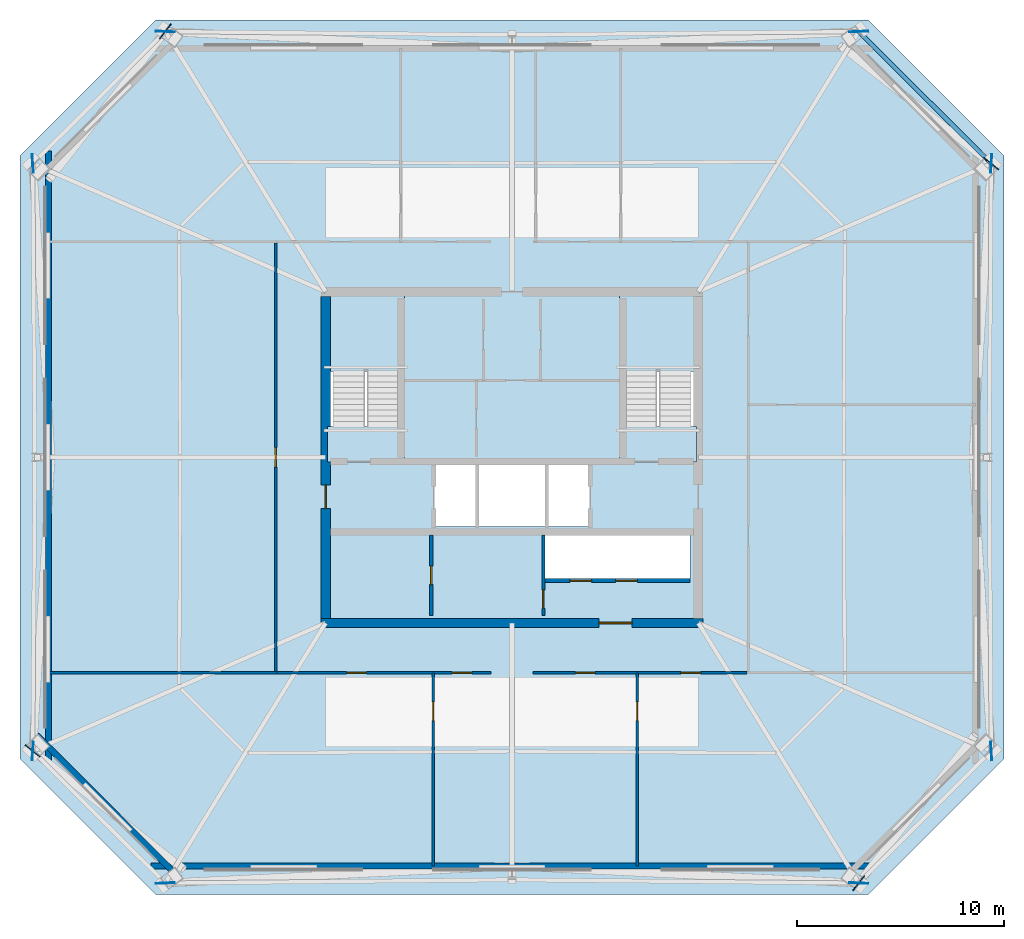
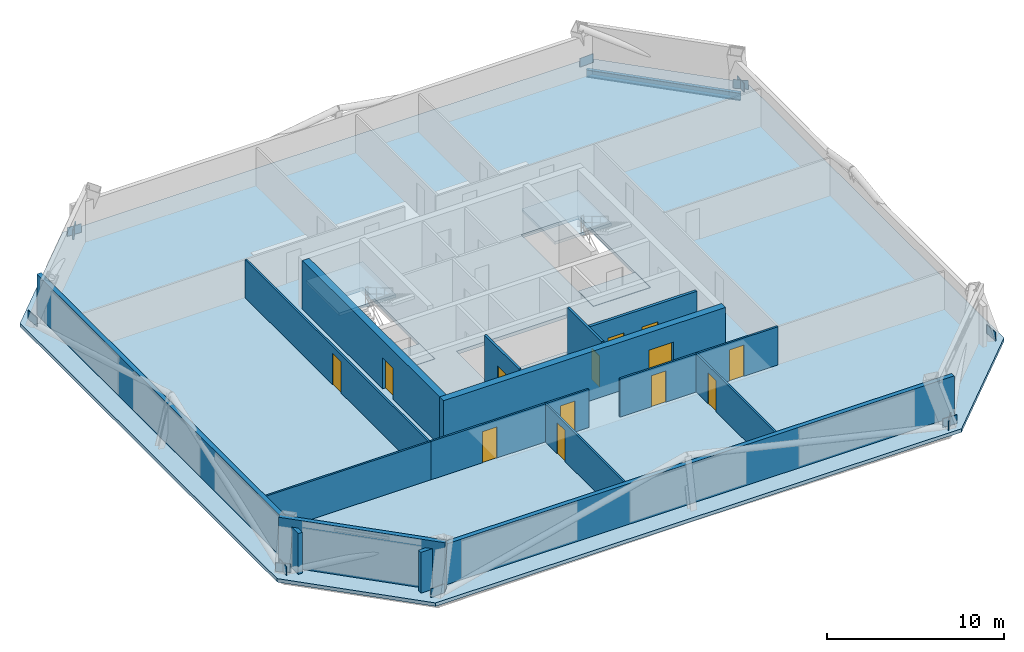
# One storey, part 2 of 6: 14 walls, 13 doors, 12 plates, 5 slabs, 1 beam, 13 openings, 2 elements without a shape of their own.
"""IFC4 building model written with IfcOpenShell, lengths in metres."""

from ifc_helpers import new_model, si_unit, direction, frame, frame_2d, origin, origin_2d, place, context, subcontext, project, spatial, polyline, rectangle, i_section, outline, extrude, material, layer, layer_set, material_profile, profile_set, type_object, element, fill, aggregate, save


model = new_model("IFC4")

# Units and contexts
model_context = context("Model", 3, precision=1e-05, world=origin(), true_north=direction((0.0, 1.0)))
body_context = subcontext(model_context, "Body", "Model", "MODEL_VIEW")
ifc_project = project(units=[si_unit("LENGTHUNIT", "METRE"), si_unit("AREAUNIT", "SQUARE_METRE"), si_unit("VOLUMEUNIT", "CUBIC_METRE"), si_unit("PLANEANGLEUNIT", "RADIAN"), si_unit("MASSUNIT", "GRAM", prefix="KILO")], contexts=[model_context])

# Site, building, storey
site_placement = place(None, origin())
site = spatial("IfcSite", under=ifc_project, at=site_placement, CompositionType="ELEMENT")
building_placement = place(site_placement, origin())
building = spatial("IfcBuilding", under=site, at=building_placement, Name="Caelvoria Tower", CompositionType="ELEMENT")
storey_placement = place(building_placement, frame((0.0, 0.0, 184.199951171875)))
storey = spatial("IfcBuildingStorey", under=building, at=storey_placement, Name="L48", CompositionType="ELEMENT", Elevation=184.199951171875)

# Beam
ifc_material_1 = material(Name="Structural Steel ASTM A992 Gr.50", Category="steel")
ifc_material_profile = material_profile(ifc_material_1, i_section(OverallWidth=0.208984375, OverallDepth=0.532958984375, WebThickness=0.01025390625, FlangeThickness=0.015625, FilletRadius=0.01611328125, at=origin_2d()), Name="Structural Steel ASTM A992 Gr.50")
ifc_profile_set = profile_set([ifc_material_profile], Name="W530X92 - Structural Steel ASTM A992 Gr.50")
beam_type = type_object("IfcBeamType", Name="Upper Zone Spandrel W530X92", PredefinedType="BEAM", material=ifc_profile_set)
beam_placement = place(storey_placement, frame((69.14599609375, 46.183837890625, -0.50634765625), z_axis=(-0.708362057254, 0.705849272751, 0.0), x_axis=(-0.705849272751, -0.708362057254, 0.0)))
element("IfcBeam", 1, at=beam_placement, inside=storey, type_object=beam_type, Name="Perimeter Spandrel Girder L48-05", PredefinedType="BEAM", context=body_context, shape_type="SweptSolid", body=[
    extrude(i_section(OverallWidth=0.208984375, OverallDepth=0.532958984375, WebThickness=0.01025390625, FlangeThickness=0.015625, FilletRadius=0.01611328125, at=origin_2d()), origin(), (0.0, 0.0, 1.0), 9.035888671875),
])

# Plates
ifc_material_2 = material(Name="Structural Steel ASTM A572 Gr.50", Category="steel")
ifc_layer_1 = layer(ifc_material_2, 0.0400390625, Name="Structural Steel ASTM A572 Gr.50")
ifc_layer_set_1 = layer_set([ifc_layer_1], Name="Megaframe Node Gusset Plate 900x600x40 - Structural Steel ASTM A572 Gr.50")
plate_type = type_object("IfcPlateType", Name="Megaframe Node Gusset Plate 900x600x40", PredefinedType="USERDEFINED", material=ifc_layer_set_1)
for number, where, z_axis, x_axis, name in (
    (2, (62.745361328125, 11.438232421875, 0.02001953125), (0.0, 0.0, 1.0), (0.617670213327, 0.786437224175, 0.0), "Chamfer Mega Brace Gusset L48 SE"),
    (3, (69.14599609375, 46.183837890625, 0.02001953125), (0.0, 0.0, 1.0), (-0.787284897841, 0.616589401167, 0.0), "Chamfer Mega Brace Gusset L48 NE"),
    (4, (29.254638671875, 52.561767578125, 0.02001953125), (0.0, 0.0, 1.0), (-0.617670213327, -0.786437224175, 0.0), "Chamfer Mega Brace Gusset L48 NW"),
    (5, (22.85400390625, 17.816162109375, 0.02001953125), (0.0, 0.0, 1.0), (0.787284897841, -0.616589401167, 0.0), "Chamfer Mega Brace Gusset L48 SW"),
    (6, (29.254638671875, 11.438232421875, 0.050048828125), (0.0, 0.0, 1.0), (0.998798195103, 0.049011890989, 0.0), "Megaframe Node Gusset Plate ND-01"),
    (7, (62.745361328125, 11.438232421875, 0.050048828125), (0.0, 0.0, 1.0), (-0.998798195103, 0.049011890989, 0.0), "Megaframe Node Gusset Plate ND-01"),
    (8, (69.14599609375, 17.816162109375, 0.050048828125), (0.0, 0.0, 1.0), (-0.062351558389, 0.998054248609, 0.0), "Megaframe Node Gusset Plate ND-01"),
    (9, (69.14599609375, 46.183837890625, 0.050048828125), (0.0, 0.0, 1.0), (-0.062351558389, -0.998054248609, 0.0), "Megaframe Node Gusset Plate ND-01"),
    (10, (62.745361328125, 52.561767578125, 0.050048828125), (0.0, 0.0, 1.0), (-0.998798195103, -0.049011890989, 0.0), "Megaframe Node Gusset Plate ND-01"),
    (11, (29.254638671875, 52.561767578125, 0.050048828125), (0.0, 0.0, 1.0), (0.998798195103, -0.049011890989, 0.0), "Megaframe Node Gusset Plate ND-01"),
    (12, (22.85400390625, 46.183837890625, 0.050048828125), (0.0, 0.0, 1.0), (0.062351558389, -0.998054248609, 0.0), "Megaframe Node Gusset Plate ND-01"),
    (13, (22.85400390625, 17.816162109375, 0.050048828125), (0.0, 0.0, 1.0), (0.062351558389, 0.998054248609, 0.0), "Megaframe Node Gusset Plate ND-01"),
):
    element("IfcPlate", number, at=place(storey_placement, frame(where, z_axis=z_axis, x_axis=x_axis)), inside=storey, type_object=plate_type, Name=name, ObjectType="GUSSET_PLATE", PredefinedType="USERDEFINED", context=body_context, shape_type="SweptSolid", body=[
        extrude(rectangle(XDim=0.89990234375, YDim=0.0400390625, at=origin_2d()), origin(), (0.0, 0.0, 1.0), 0.60009765625),
    ])

# Stair, slabs
ifc_material_3 = material(Name="Concrete C40/50", Category="concrete")
stair_type = type_object("IfcStairType", Name="Core Smokeproof Dogleg Stair Concrete C40/50", PredefinedType="HALF_TURN_STAIR", material=ifc_material_3)
stair_1_placement = place(storey_placement, origin())
stair_1 = element("IfcStair", 14, at=stair_1_placement, inside=storey, type_object=stair_type, Name="ST-01 Smokeproof Exit Stair L48", PredefinedType="HALF_TURN_STAIR")
ifc_layer_2 = layer(ifc_material_3, 0.199951171875, Name="Concrete C40/50")
ifc_layer_set_2 = layer_set([ifc_layer_2], Name="Stair Half and Floor Landing Slab 200 Concrete C40/50 - Concrete C40/50")
slab_type_1 = type_object("IfcSlabType", Name="Stair Half and Floor Landing Slab 200 Concrete C40/50", PredefinedType="LANDING", material=ifc_layer_set_2)
slab_1_placement = place(storey_placement, frame((0.0, 0.0, -0.199951171875)))
slab_1 = element("IfcSlab", 15, at=slab_1_placement, type_object=slab_type_1, Name="ST-01 landing 1", PredefinedType="LANDING", context=body_context, shape_type="SweptSolid", body=[
    extrude(outline(polyline([(37.10009765625, 31.77001953125), (40.800048828125, 31.77001953125), (40.800048828125, 33.5), (37.10009765625, 33.5), (37.10009765625, 31.77001953125)])), origin(), (0.0, 0.0, 1.0), 0.199951171875),
])
slab_2_placement = place(storey_placement, frame((0.0, 0.0, 1.60009765625)))
slab_2 = element("IfcSlab", 16, at=slab_2_placement, type_object=slab_type_1, Name="ST-01 landing 2", PredefinedType="LANDING", context=body_context, shape_type="SweptSolid", body=[
    extrude(outline(polyline([(37.10009765625, 36.14990234375), (40.800048828125, 36.14990234375), (40.800048828125, 39.89990234375), (37.10009765625, 39.89990234375), (37.10009765625, 36.14990234375)])), origin(), (0.0, 0.0, 1.0), 0.199951171875),
])
aggregate(stair_1, [slab_1, slab_2])

stair_2_placement = place(storey_placement, origin())
stair_2 = element("IfcStair", 17, at=stair_2_placement, inside=storey, type_object=stair_type, Name="ST-02 Smokeproof Exit Stair L48", PredefinedType="HALF_TURN_STAIR")
slab_3_placement = place(storey_placement, frame((0.0, 0.0, -0.199951171875)))
slab_3 = element("IfcSlab", 18, at=slab_3_placement, type_object=slab_type_1, Name="ST-02 landing 1", PredefinedType="LANDING", context=body_context, shape_type="SweptSolid", body=[
    extrude(outline(polyline([(51.199951171875, 31.77001953125), (54.89990234375, 31.77001953125), (54.89990234375, 33.5), (51.199951171875, 33.5), (51.199951171875, 31.77001953125)])), origin(), (0.0, 0.0, 1.0), 0.199951171875),
])
slab_4_placement = place(storey_placement, frame((0.0, 0.0, 1.60009765625)))
slab_4 = element("IfcSlab", 19, at=slab_4_placement, type_object=slab_type_1, Name="ST-02 landing 2", PredefinedType="LANDING", context=body_context, shape_type="SweptSolid", body=[
    extrude(outline(polyline([(51.199951171875, 36.14990234375), (54.89990234375, 36.14990234375), (54.89990234375, 39.89990234375), (51.199951171875, 39.89990234375), (51.199951171875, 36.14990234375)])), origin(), (0.0, 0.0, 1.0), 0.199951171875),
])
aggregate(stair_2, [slab_3, slab_4])

# Slab
ifc_layer_3 = layer(ifc_material_3, 0.239990234375, Name="Concrete C40/50")
ifc_layer_set_3 = layer_set([ifc_layer_3], Name="Tower Composite Office Slab 240 - Concrete C40/50")
slab_type_2 = type_object("IfcSlabType", Name="Tower Composite Office Slab 240", PredefinedType="FLOOR", material=ifc_layer_set_3)
slab_5_placement = place(storey_placement, frame((0.0, 0.0, -0.239990234375)))
element("IfcSlab", 20, at=slab_5_placement, inside=storey, type_object=slab_type_2, Name="Level L48 Structural Floor Slab", PredefinedType="FLOOR", context=body_context, shape_type="SweptSolid", body=[
    extrude(outline(polyline([(28.800048828125, 10.8798828125), (63.199951171875, 10.8798828125), (69.760009765625, 17.43994140625), (69.760009765625, 46.56005859375), (63.199951171875, 53.1201171875), (28.800048828125, 53.1201171875), (22.239990234375, 46.56005859375), (22.239990234375, 17.43994140625), (28.800048828125, 10.8798828125)]), holes=[polyline([(37.080078125, 31.75), (40.820068359375, 31.75), (40.820068359375, 39.919921875), (37.080078125, 39.919921875), (37.080078125, 31.75)]), polyline([(51.179931640625, 31.75), (54.919921875, 31.75), (54.919921875, 39.919921875), (51.179931640625, 39.919921875), (51.179931640625, 31.75)]), polyline([(42.25, 28.64990234375), (49.75, 28.64990234375), (49.75, 31.800048828125), (42.25, 31.800048828125), (42.25, 28.64990234375)]), polyline([(47.60009765625, 26.14990234375), (54.60009765625, 26.14990234375), (54.60009765625, 28.25), (47.60009765625, 28.25), (47.60009765625, 26.14990234375)])]), origin(), (0.0, 0.0, 1.0), 0.239990234375),
])

# Wall, opening, door
ifc_material_4 = material(Name="Double Gypsum Board on Steel Stud", Category="steel")
ifc_layer_4 = layer(ifc_material_4, 0.14990234375, Name="Double Gypsum Board on Steel Stud")
ifc_layer_set_4 = layer_set([ifc_layer_4], Name="Core Service Acoustic Partition Wall 150 - Double Gypsum Board on Steel Stud")
wall_type_1 = type_object("IfcWallType", Name="Core Service Acoustic Partition Wall 150", PredefinedType="PARTITIONING", material=ifc_layer_set_4)
wall_1_placement = place(storey_placement, frame((42.10009765625, 24.35009765625, 0.0), z_axis=(0.0, 0.0, 1.0), x_axis=(0.0, 1.0, 0.0)))
wall_1 = element("IfcWall", 21, at=wall_1_placement, inside=storey, type_object=wall_type_1, Name="Interior Partition IW-L48-RECL-MID", PredefinedType="PARTITIONING", context=body_context, shape_type="SweptSolid", body=[
    extrude(rectangle(XDim=3.89990234375, YDim=0.14990234375, at=frame_2d((1.949951171875, 0.0))), origin(), (0.0, 0.0, 1.0), 3.360107421875),
])
opening_1_placement = place(wall_1_placement, frame((1.5, 0.0, 0.0)))
opening_1 = element("IfcOpeningElement", 22, at=opening_1_placement, cuts=wall_1, Name="Opening ID-06", PredefinedType="OPENING", context=body_context, shape_type="SweptSolid", body=[
    extrude(rectangle(XDim=0.89990234375, YDim=2.14990234375, at=frame_2d((0.449951171875, 1.074951171875))), frame((0.0, 0.0849609375, 0.0), z_axis=(0.0, -1.0, 0.0), x_axis=(1.0, 0.0, 0.0)), (0.0, 0.0, 1.0), 0.169921875),
])
ifc_material_5 = material(Name="Engineered Andean Oak Veneer Door", Category="wood")
door_type_1 = type_object("IfcDoorType", Name="Interior Timber Door 900x2150", OperationType="NOTDEFINED", PredefinedType="DOOR", material=ifc_material_5)
door_1_placement = place(opening_1_placement, origin())
door_1 = element("IfcDoor", 23, at=door_1_placement, inside=storey, type_object=door_type_1, Name="Interior Door DR-L48-RECL12", OperationType="SINGLE_SWING_LEFT", OverallHeight=2.14990234375, OverallWidth=0.89990234375, PredefinedType="DOOR", context=body_context, shape_type="SweptSolid", body=[
    extrude(rectangle(XDim=0.89990234375, YDim=2.14990234375, at=frame_2d((0.449951171875, 1.074951171875))), frame((0.0, 0.02490234375, 0.0), z_axis=(0.0, -1.0, 0.0), x_axis=(1.0, 0.0, 0.0)), (0.0, 0.0, 1.0), 0.050048828125),
])
fill(opening_1, door_1)

wall_2_placement = place(storey_placement, frame((47.52001953125, 24.35009765625, 0.0), z_axis=(0.0, 0.0, 1.0), x_axis=(0.0, 1.0, 0.0)))
wall_2 = element("IfcWall", 24, at=wall_2_placement, inside=storey, type_object=wall_type_1, Name="Interior Partition IW-L48-RECL2E", PredefinedType="PARTITIONING", context=body_context, shape_type="SweptSolid", body=[
    extrude(rectangle(XDim=3.89990234375, YDim=0.14990234375, at=frame_2d((1.949951171875, 0.0))), origin(), (0.0, 0.0, 1.0), 3.360107421875),
])
opening_2_placement = place(wall_2_placement, frame((0.35009765625, 0.0, 0.0)))
opening_2 = element("IfcOpeningElement", 25, at=opening_2_placement, cuts=wall_2, Name="Opening ID-04", PredefinedType="OPENING", context=body_context, shape_type="SweptSolid", body=[
    extrude(rectangle(XDim=0.89990234375, YDim=2.14990234375, at=frame_2d((0.449951171875, 1.074951171875))), frame((0.0, 0.0849609375, 0.0), z_axis=(0.0, -1.0, 0.0), x_axis=(1.0, 0.0, 0.0)), (0.0, 0.0, 1.0), 0.169921875),
])
ifc_material_6 = material(Name="Acoustic Timber Fire Door", Category="wood")
door_type_2 = type_object("IfcDoorType", Name="Fire Door FD30S 900x2150", OperationType="NOTDEFINED", PredefinedType="DOOR", material=ifc_material_6)
door_2_placement = place(opening_2_placement, origin())
door_2 = element("IfcDoor", 26, at=door_2_placement, inside=storey, type_object=door_type_2, Name="Interior Door DR-L48-RECL2", OperationType="SINGLE_SWING_RIGHT", OverallHeight=2.14990234375, OverallWidth=0.89990234375, PredefinedType="DOOR", context=body_context, shape_type="SweptSolid", body=[
    extrude(rectangle(XDim=0.89990234375, YDim=2.14990234375, at=frame_2d((0.449951171875, 1.074951171875))), frame((0.0, 0.02490234375, 0.0), z_axis=(0.0, -1.0, 0.0), x_axis=(1.0, 0.0, 0.0)), (0.0, 0.0, 1.0), 0.050048828125),
])
fill(opening_2, door_2)

# Walls
ifc_material_7 = material(Name="Precast Concrete C40/50 with Bronze Cladding", Category="concrete")
ifc_layer_5 = layer(ifc_material_7, 0.280029296875, Name="Precast Concrete C40/50 with Bronze Cladding")
ifc_layer_set_5 = layer_set([ifc_layer_5], Name="Exterior Precast Concrete C40/50 Bronze-Clad Facade Wall 280 - Precast Concrete C40/50 with Bronze Cladding")
wall_type_2 = type_object("IfcWallType", Name="Exterior Precast Concrete C40/50 Bronze-Clad Facade Wall 280", PredefinedType="STANDARD", material=ifc_layer_set_5)
wall_3_placement = place(storey_placement, frame((28.56005859375, 12.260009765625, 0.0), z_axis=(0.0, 0.0, 1.0), x_axis=(1.0, 0.0, 0.0)))
element("IfcWall", 27, at=wall_3_placement, inside=storey, type_object=wall_type_2, Name="Exterior Facade Wall L48-E0", PredefinedType="STANDARD", context=body_context, shape_type="SweptSolid", body=[
    extrude(rectangle(XDim=34.8798828125, YDim=0.280029296875, at=frame_2d((17.43994140625, 0.0))), origin(), (0.0, 0.0, 1.0), 2.817138671875),
])
wall_4_placement = place(storey_placement, frame((23.6201171875, 46.800048828125, 0.0), z_axis=(0.0, 0.0, 1.0), x_axis=(0.0, -1.0, 0.0)))
element("IfcWall", 28, at=wall_4_placement, inside=storey, type_object=wall_type_2, Name="Exterior Facade Wall L48-E6", PredefinedType="STANDARD", context=body_context, shape_type="SweptSolid", body=[
    extrude(rectangle(XDim=29.60009765625, YDim=0.280029296875, at=frame_2d((14.800048828125, 0.0))), origin(), (0.0, 0.0, 1.0), 2.817138671875),
])
wall_5_placement = place(storey_placement, frame((23.046142578125, 18.58544921875, 0.0), z_axis=(0.0, 0.0, 1.0), x_axis=(0.707106781187, -0.707106781187, 0.0)))
element("IfcWall", 29, at=wall_5_placement, inside=storey, type_object=wall_type_2, Name="Exterior Facade Wall L48-E7", PredefinedType="STANDARD", context=body_context, shape_type="SweptSolid", body=[
    extrude(rectangle(XDim=9.75732421875, YDim=0.280029296875, at=frame_2d((4.878662109375, 0.0))), origin(), (0.0, 0.0, 1.0), 3.360107421875),
])

# Wall, openings, doors
ifc_material_8 = material(Name="Concrete Block and Fireboard Assembly", Category="concrete")
ifc_layer_6 = layer(ifc_material_8, 0.179931640625, Name="Concrete Block and Fireboard Assembly")
ifc_layer_set_6 = layer_set([ifc_layer_6], Name="Fire-Rated Hoistway Partition Wall 180 - Concrete Block and Fireboard Assembly")
wall_type_3 = type_object("IfcWallType", Name="Fire-Rated Hoistway Partition Wall 180", PredefinedType="PARTITIONING", material=ifc_layer_set_6)
wall_6_placement = place(storey_placement, frame((47.60009765625, 26.050048828125, 0.0), z_axis=(0.0, 0.0, 1.0), x_axis=(1.0, 0.0, 0.0)))
wall_6 = element("IfcWall", 30, at=wall_6_placement, inside=storey, type_object=wall_type_3, Name="Interior Partition IW-L48-LFRONT", PredefinedType="PARTITIONING", context=body_context, shape_type="SweptSolid", body=[
    extrude(rectangle(XDim=7.0, YDim=0.179931640625, at=frame_2d((3.5, 0.0))), origin(), (0.0, 0.0, 1.0), 3.360107421875),
])
opening_3_placement = place(wall_6_placement, frame((1.199951171875, 0.0, 0.0)))
opening_3 = element("IfcOpeningElement", 31, at=opening_3_placement, cuts=wall_6, Name="Opening LD-01", PredefinedType="OPENING", context=body_context, shape_type="SweptSolid", body=[
    extrude(rectangle(XDim=1.050048828125, YDim=2.14990234375, at=frame_2d((0.52490234375, 1.074951171875))), frame((0.0, 0.099853515625, 0.0), z_axis=(0.0, -1.0, 0.0), x_axis=(1.0, 0.0, 0.0)), (0.0, 0.0, 1.0), 0.199951171875),
])
opening_4_placement = place(wall_6_placement, frame((3.39990234375, 0.0, 0.0)))
opening_4 = element("IfcOpeningElement", 32, at=opening_4_placement, cuts=wall_6, Name="Opening LD-01", PredefinedType="OPENING", context=body_context, shape_type="SweptSolid", body=[
    extrude(rectangle(XDim=1.050048828125, YDim=2.14990234375, at=frame_2d((0.52490234375, 1.074951171875))), frame((0.0, 0.099853515625, 0.0), z_axis=(0.0, -1.0, 0.0), x_axis=(1.0, 0.0, 0.0)), (0.0, 0.0, 1.0), 0.199951171875),
])
ifc_material_9 = material(Name="Brushed Bronze Stainless Sliding Landing Door", Category="aluminium")
door_type_3 = type_object("IfcDoorType", Name="Lift Landing Sliding Door 1100x2150", OperationType="NOTDEFINED", PredefinedType="DOOR", material=ifc_material_9)
door_3_placement = place(opening_3_placement, origin())
door_3 = element("IfcDoor", 33, at=door_3_placement, inside=storey, type_object=door_type_3, Name="Interior Door LD-L48-PH1", OperationType="SLIDING_TO_LEFT", OverallHeight=2.14990234375, OverallWidth=1.050048828125, PredefinedType="DOOR", context=body_context, shape_type="SweptSolid", body=[
    extrude(rectangle(XDim=1.050048828125, YDim=2.14990234375, at=frame_2d((0.52490234375, 1.074951171875))), frame((0.0, 0.02490234375, 0.0), z_axis=(0.0, -1.0, 0.0), x_axis=(1.0, 0.0, 0.0)), (0.0, 0.0, 1.0), 0.050048828125),
])
fill(opening_3, door_3)
door_4_placement = place(opening_4_placement, origin())
door_4 = element("IfcDoor", 34, at=door_4_placement, inside=storey, type_object=door_type_3, Name="Interior Door LD-L48-PH2", OperationType="SLIDING_TO_RIGHT", OverallHeight=2.14990234375, OverallWidth=1.050048828125, PredefinedType="DOOR", context=body_context, shape_type="SweptSolid", body=[
    extrude(rectangle(XDim=1.050048828125, YDim=2.14990234375, at=frame_2d((0.52490234375, 1.074951171875))), frame((0.0, 0.02490234375, 0.0), z_axis=(0.0, -1.0, 0.0), x_axis=(1.0, 0.0, 0.0)), (0.0, 0.0, 1.0), 0.050048828125),
])
fill(opening_4, door_4)

# Wall, opening, door
ifc_material_10 = material(Name="Acoustic Gypsum Board on Light-Gauge Stud", Category="gypsum")
ifc_layer_7 = layer(ifc_material_10, 0.1201171875, Name="Acoustic Gypsum Board on Light-Gauge Stud")
ifc_layer_set_7 = layer_set([ifc_layer_7], Name="Tenant Suite Acoustic Partition Wall 120 - Acoustic Gypsum Board on Light-Gauge Stud")
wall_type_4 = type_object("IfcWallType", Name="Tenant Suite Acoustic Partition Wall 120", PredefinedType="PARTITIONING", material=ifc_layer_set_7)
wall_7_placement = place(storey_placement, frame((42.190673828125, 21.590087890625, 0.0), z_axis=(0.0, 0.0, 1.0), x_axis=(0.0, -1.0, 0.0)))
wall_7 = element("IfcWall", 35, at=wall_7_placement, inside=storey, type_object=wall_type_4, Name="Interior Partition IW-L48-SD-00-0", PredefinedType="PARTITIONING", context=body_context, shape_type="SweptSolid", body=[
    extrude(rectangle(XDim=9.330078125, YDim=0.1201171875, at=frame_2d((4.6650390625, 0.0))), origin(), (0.0, 0.0, 1.0), 2.64013671875),
])
opening_5_placement = place(wall_7_placement, frame((1.39990234375, 0.0, 0.0)))
opening_5 = element("IfcOpeningElement", 36, at=opening_5_placement, cuts=wall_7, Name="Opening ID-06", PredefinedType="OPENING", context=body_context, shape_type="SweptSolid", body=[
    extrude(rectangle(XDim=0.89990234375, YDim=2.14990234375, at=frame_2d((0.449951171875, 1.074951171875))), frame((0.0, 0.070068359375, 0.0), z_axis=(0.0, -1.0, 0.0), x_axis=(1.0, 0.0, 0.0)), (0.0, 0.0, 1.0), 0.14013671875),
])
door_5_placement = place(opening_5_placement, origin())
door_5 = element("IfcDoor", 37, at=door_5_placement, inside=storey, type_object=door_type_1, Name="Interior Door DR-L48-SM-00-0", OperationType="SINGLE_SWING_RIGHT", OverallHeight=2.14990234375, OverallWidth=0.89990234375, PredefinedType="DOOR", context=body_context, shape_type="SweptSolid", body=[
    extrude(rectangle(XDim=0.89990234375, YDim=2.14990234375, at=frame_2d((0.449951171875, 1.074951171875))), frame((0.0, 0.02490234375, 0.0), z_axis=(0.0, -1.0, 0.0), x_axis=(1.0, 0.0, 0.0)), (0.0, 0.0, 1.0), 0.050048828125),
])
fill(opening_5, door_5)

wall_8_placement = place(storey_placement, frame((52.05810546875, 21.590087890625, 0.0), z_axis=(0.0, 0.0, 1.0), x_axis=(0.0, -1.0, 0.0)))
wall_8 = element("IfcWall", 38, at=wall_8_placement, inside=storey, type_object=wall_type_4, Name="Interior Partition IW-L48-SD-02-0", PredefinedType="PARTITIONING", context=body_context, shape_type="SweptSolid", body=[
    extrude(rectangle(XDim=9.330078125, YDim=0.1201171875, at=frame_2d((4.6650390625, 0.0))), origin(), (0.0, 0.0, 1.0), 2.64013671875),
])
opening_6_placement = place(wall_8_placement, frame((1.39990234375, 0.0, 0.0)))
opening_6 = element("IfcOpeningElement", 39, at=opening_6_placement, cuts=wall_8, Name="Opening ID-06", PredefinedType="OPENING", context=body_context, shape_type="SweptSolid", body=[
    extrude(rectangle(XDim=0.89990234375, YDim=2.14990234375, at=frame_2d((0.449951171875, 1.074951171875))), frame((0.0, 0.070068359375, 0.0), z_axis=(0.0, -1.0, 0.0), x_axis=(1.0, 0.0, 0.0)), (0.0, 0.0, 1.0), 0.14013671875),
])
door_6_placement = place(opening_6_placement, origin())
door_6 = element("IfcDoor", 40, at=door_6_placement, inside=storey, type_object=door_type_1, Name="Interior Door DR-L48-SM-02-0", OperationType="SINGLE_SWING_RIGHT", OverallHeight=2.14990234375, OverallWidth=0.89990234375, PredefinedType="DOOR", context=body_context, shape_type="SweptSolid", body=[
    extrude(rectangle(XDim=0.89990234375, YDim=2.14990234375, at=frame_2d((0.449951171875, 1.074951171875))), frame((0.0, 0.02490234375, 0.0), z_axis=(0.0, -1.0, 0.0), x_axis=(1.0, 0.0, 0.0)), (0.0, 0.0, 1.0), 0.050048828125),
])
fill(opening_6, door_6)

# Wall, openings, doors
wall_9_placement = place(storey_placement, frame((34.64990234375, 21.590087890625, 0.0), z_axis=(0.0, 0.0, 1.0), x_axis=(1.0, 0.0, 0.0)))
wall_9 = element("IfcWall", 41, at=wall_9_placement, inside=storey, type_object=wall_type_4, Name="Interior Partition IW-L48-SCW-0", PredefinedType="PARTITIONING", context=body_context, shape_type="SweptSolid", body=[
    extrude(rectangle(XDim=10.330078125, YDim=0.1201171875, at=frame_2d((5.1650390625, 0.0))), origin(), (0.0, 0.0, 1.0), 2.64013671875),
])
opening_7_placement = place(wall_9_placement, frame((3.365234375, 0.0, 0.0)))
opening_7 = element("IfcOpeningElement", 42, at=opening_7_placement, cuts=wall_9, Name="Opening ID-05", PredefinedType="OPENING", context=body_context, shape_type="SweptSolid", body=[
    extrude(rectangle(XDim=0.949951171875, YDim=2.14990234375, at=frame_2d((0.47509765625, 1.074951171875))), frame((0.0, 0.070068359375, 0.0), z_axis=(0.0, -1.0, 0.0), x_axis=(1.0, 0.0, 0.0)), (0.0, 0.0, 1.0), 0.14013671875),
])
opening_8_placement = place(wall_9_placement, frame((8.46044921875, 0.0, 0.0)))
opening_8 = element("IfcOpeningElement", 43, at=opening_8_placement, cuts=wall_9, Name="Opening ID-05", PredefinedType="OPENING", context=body_context, shape_type="SweptSolid", body=[
    extrude(rectangle(XDim=0.949951171875, YDim=2.14990234375, at=frame_2d((0.47509765625, 1.074951171875))), frame((0.0, 0.070068359375, 0.0), z_axis=(0.0, -1.0, 0.0), x_axis=(1.0, 0.0, 0.0)), (0.0, 0.0, 1.0), 0.14013671875),
])
door_type_4 = type_object("IfcDoorType", Name="Interior Timber Door 950x2150", OperationType="NOTDEFINED", PredefinedType="DOOR", material=ifc_material_5)
door_7_placement = place(opening_7_placement, origin())
door_7 = element("IfcDoor", 44, at=door_7_placement, inside=storey, type_object=door_type_4, Name="Interior Door DR-L48-SC-00-0", OperationType="SINGLE_SWING_LEFT", OverallHeight=2.14990234375, OverallWidth=0.949951171875, PredefinedType="DOOR", context=body_context, shape_type="SweptSolid", body=[
    extrude(rectangle(XDim=0.949951171875, YDim=2.14990234375, at=frame_2d((0.47509765625, 1.074951171875))), frame((0.0, 0.02490234375, 0.0), z_axis=(0.0, -1.0, 0.0), x_axis=(1.0, 0.0, 0.0)), (0.0, 0.0, 1.0), 0.050048828125),
])
fill(opening_7, door_7)
door_8_placement = place(opening_8_placement, origin())
door_8 = element("IfcDoor", 45, at=door_8_placement, inside=storey, type_object=door_type_4, Name="Interior Door DR-L48-SC-01-0", OperationType="SINGLE_SWING_RIGHT", OverallHeight=2.14990234375, OverallWidth=0.949951171875, PredefinedType="DOOR", context=body_context, shape_type="SweptSolid", body=[
    extrude(rectangle(XDim=0.949951171875, YDim=2.14990234375, at=frame_2d((0.47509765625, 1.074951171875))), frame((0.0, 0.02490234375, 0.0), z_axis=(0.0, -1.0, 0.0), x_axis=(1.0, 0.0, 0.0)), (0.0, 0.0, 1.0), 0.050048828125),
])
fill(opening_8, door_8)

wall_10_placement = place(storey_placement, frame((47.02001953125, 21.590087890625, 0.0), z_axis=(0.0, 0.0, 1.0), x_axis=(1.0, 0.0, 0.0)))
wall_10 = element("IfcWall", 46, at=wall_10_placement, inside=storey, type_object=wall_type_4, Name="Interior Partition IW-L48-SCW-1", PredefinedType="PARTITIONING", context=body_context, shape_type="SweptSolid", body=[
    extrude(rectangle(XDim=10.330078125, YDim=0.1201171875, at=frame_2d((5.1650390625, 0.0))), origin(), (0.0, 0.0, 1.0), 2.64013671875),
])
opening_9_placement = place(wall_10_placement, frame((2.0439453125, 0.0, 0.0)))
opening_9 = element("IfcOpeningElement", 47, at=opening_9_placement, cuts=wall_10, Name="Opening ID-05", PredefinedType="OPENING", context=body_context, shape_type="SweptSolid", body=[
    extrude(rectangle(XDim=0.949951171875, YDim=2.14990234375, at=frame_2d((0.47509765625, 1.074951171875))), frame((0.0, 0.070068359375, 0.0), z_axis=(0.0, -1.0, 0.0), x_axis=(1.0, 0.0, 0.0)), (0.0, 0.0, 1.0), 0.14013671875),
])
opening_10_placement = place(wall_10_placement, frame((7.138916015625, 0.0, 0.0)))
opening_10 = element("IfcOpeningElement", 48, at=opening_10_placement, cuts=wall_10, Name="Opening ID-05", PredefinedType="OPENING", context=body_context, shape_type="SweptSolid", body=[
    extrude(rectangle(XDim=0.949951171875, YDim=2.14990234375, at=frame_2d((0.47509765625, 1.074951171875))), frame((0.0, 0.070068359375, 0.0), z_axis=(0.0, -1.0, 0.0), x_axis=(1.0, 0.0, 0.0)), (0.0, 0.0, 1.0), 0.14013671875),
])
door_9_placement = place(opening_9_placement, origin())
door_9 = element("IfcDoor", 49, at=door_9_placement, inside=storey, type_object=door_type_4, Name="Interior Door DR-L48-SC-02-0", OperationType="SINGLE_SWING_LEFT", OverallHeight=2.14990234375, OverallWidth=0.949951171875, PredefinedType="DOOR", context=body_context, shape_type="SweptSolid", body=[
    extrude(rectangle(XDim=0.949951171875, YDim=2.14990234375, at=frame_2d((0.47509765625, 1.074951171875))), frame((0.0, 0.02490234375, 0.0), z_axis=(0.0, -1.0, 0.0), x_axis=(1.0, 0.0, 0.0)), (0.0, 0.0, 1.0), 0.050048828125),
])
fill(opening_9, door_9)
door_10_placement = place(opening_10_placement, origin())
door_10 = element("IfcDoor", 50, at=door_10_placement, inside=storey, type_object=door_type_4, Name="Interior Door DR-L48-SC-03-0", OperationType="SINGLE_SWING_RIGHT", OverallHeight=2.14990234375, OverallWidth=0.949951171875, PredefinedType="DOOR", context=body_context, shape_type="SweptSolid", body=[
    extrude(rectangle(XDim=0.949951171875, YDim=2.14990234375, at=frame_2d((0.47509765625, 1.074951171875))), frame((0.0, 0.02490234375, 0.0), z_axis=(0.0, -1.0, 0.0), x_axis=(1.0, 0.0, 0.0)), (0.0, 0.0, 1.0), 0.050048828125),
])
fill(opening_10, door_10)

# Wall, opening, door
wall_11_placement = place(storey_placement, frame((34.590087890625, 21.64990234375, 0.0), z_axis=(0.0, 0.0, 1.0), x_axis=(0.0, 1.0, 0.0)))
wall_11 = element("IfcWall", 51, at=wall_11_placement, inside=storey, type_object=wall_type_4, Name="Interior Partition IW-L48-WCW-0", PredefinedType="PARTITIONING", context=body_context, shape_type="SweptSolid", body=[
    extrude(rectangle(XDim=20.7001953125, YDim=0.1201171875, at=frame_2d((10.35009765625, 0.0))), origin(), (0.0, 0.0, 1.0), 2.64013671875),
])
opening_11_placement = place(wall_11_placement, frame((9.875, 0.0, 0.0)))
opening_11 = element("IfcOpeningElement", 52, at=opening_11_placement, cuts=wall_11, Name="Opening ID-05", PredefinedType="OPENING", context=body_context, shape_type="SweptSolid", body=[
    extrude(rectangle(XDim=0.949951171875, YDim=2.14990234375, at=frame_2d((0.47509765625, 1.074951171875))), frame((0.0, 0.070068359375, 0.0), z_axis=(0.0, -1.0, 0.0), x_axis=(1.0, 0.0, 0.0)), (0.0, 0.0, 1.0), 0.14013671875),
])
door_11_placement = place(opening_11_placement, origin())
door_11 = element("IfcDoor", 53, at=door_11_placement, inside=storey, type_object=door_type_4, Name="Interior Door DR-L48-WC-00-0", OperationType="SINGLE_SWING_LEFT", OverallHeight=2.14990234375, OverallWidth=0.949951171875, PredefinedType="DOOR", context=body_context, shape_type="SweptSolid", body=[
    extrude(rectangle(XDim=0.949951171875, YDim=2.14990234375, at=frame_2d((0.47509765625, 1.074951171875))), frame((0.0, 0.02490234375, 0.0), z_axis=(0.0, -1.0, 0.0), x_axis=(1.0, 0.0, 0.0)), (0.0, 0.0, 1.0), 0.050048828125),
])
fill(opening_11, door_11)

# Wall
wall_12_placement = place(storey_placement, frame((34.64990234375, 21.590087890625, 0.0), z_axis=(0.0, 0.0, 1.0), x_axis=(-1.0, 0.0, 0.0)))
element("IfcWall", 54, at=wall_12_placement, inside=storey, type_object=wall_type_4, Name="Interior Partition IW-L48-BSW-0", PredefinedType="PARTITIONING", context=body_context, shape_type="SweptSolid", body=[
    extrude(rectangle(XDim=11.02978515625, YDim=0.1201171875, at=frame_2d((5.514892578125, 0.0))), origin(), (0.0, 0.0, 1.0), 2.64013671875),
])

# Wall, opening, door
ifc_material_11 = material(Name="Concrete C50/60", Category="concrete")
ifc_layer_8 = layer(ifc_material_11, 0.449951171875, Name="Concrete C50/60")
ifc_layer_set_8 = layer_set([ifc_layer_8], Name="Upper Core Shear Wall 450 - Concrete C50/60")
wall_type_5 = type_object("IfcWallType", Name="Upper Core Shear Wall 450", PredefinedType="SHEAR", material=ifc_layer_set_8)
wall_13_placement = place(storey_placement, frame((36.77490234375, 24.0, 0.0), z_axis=(0.0, 0.0, 1.0), x_axis=(1.0, 0.0, 0.0)))
wall_13 = element("IfcWall", 55, at=wall_13_placement, inside=storey, type_object=wall_type_5, Name="Core Shear Wall L48 S", PredefinedType="SHEAR", context=body_context, shape_type="SweptSolid", body=[
    extrude(rectangle(XDim=18.4501953125, YDim=0.449951171875, at=frame_2d((9.22509765625, 0.0))), origin(), (0.0, 0.0, 1.0), 3.360107421875),
])
opening_12_placement = place(wall_13_placement, frame((13.425048828125, 0.0, 0.0)))
opening_12 = element("IfcOpeningElement", 56, at=opening_12_placement, cuts=wall_13, Name="Opening ID-08", PredefinedType="OPENING", context=body_context, shape_type="SweptSolid", body=[
    extrude(rectangle(XDim=1.60009765625, YDim=2.14990234375, at=frame_2d((0.800048828125, 1.074951171875))), frame((0.0, 0.23486328125, 0.0), z_axis=(0.0, -1.0, 0.0), x_axis=(1.0, 0.0, 0.0)), (0.0, 0.0, 1.0), 0.469970703125),
])
ifc_material_12 = material(Name="Bronze-Framed Fire-Rated Glazed Double Door", Category="aluminium")
door_type_5 = type_object("IfcDoorType", Name="Double Lobby Glazed Door 1600x2200", OperationType="NOTDEFINED", PredefinedType="DOOR", material=ifc_material_12)
door_12_placement = place(opening_12_placement, origin())
door_12 = element("IfcDoor", 57, at=door_12_placement, inside=storey, type_object=door_type_5, Name="Core Door DR-L48-LLOB-S2", OperationType="DOUBLE_DOOR_SINGLE_SWING", OverallHeight=2.14990234375, OverallWidth=1.60009765625, PredefinedType="DOOR", context=body_context, shape_type="SweptSolid", body=[
    extrude(rectangle(XDim=1.60009765625, YDim=2.14990234375, at=frame_2d((0.800048828125, 1.074951171875))), frame((0.0, 0.02490234375, 0.0), z_axis=(0.0, -1.0, 0.0), x_axis=(1.0, 0.0, 0.0)), (0.0, 0.0, 1.0), 0.050048828125),
])
fill(opening_12, door_12)

wall_14_placement = place(storey_placement, frame((37.0, 24.22509765625, 0.0), z_axis=(0.0, 0.0, 1.0), x_axis=(0.0, 1.0, 0.0)))
wall_14 = element("IfcWall", 58, at=wall_14_placement, inside=storey, type_object=wall_type_5, Name="Core Shear Wall L48 W", PredefinedType="SHEAR", context=body_context, shape_type="SweptSolid", body=[
    extrude(rectangle(XDim=15.5498046875, YDim=0.449951171875, at=frame_2d((7.77490234375, 0.0))), origin(), (0.0, 0.0, 1.0), 3.360107421875),
])
opening_13_placement = place(wall_14_placement, frame((5.300048828125, 0.0, 0.0)))
opening_13 = element("IfcOpeningElement", 59, at=opening_13_placement, cuts=wall_14, Name="Opening ID-02", PredefinedType="OPENING", context=body_context, shape_type="SweptSolid", body=[
    extrude(rectangle(XDim=1.14990234375, YDim=2.14990234375, at=frame_2d((0.574951171875, 1.074951171875))), frame((0.0, 0.23486328125, 0.0), z_axis=(0.0, -1.0, 0.0), x_axis=(1.0, 0.0, 0.0)), (0.0, 0.0, 1.0), 0.469970703125),
])
ifc_material_13 = material(Name="Painted Hollow Steel Fire Door", Category="steel")
door_type_6 = type_object("IfcDoorType", Name="Fire Door FD60S 1150x2150", OperationType="NOTDEFINED", PredefinedType="DOOR", material=ifc_material_13)
door_13_placement = place(opening_13_placement, origin())
door_13 = element("IfcDoor", 60, at=door_13_placement, inside=storey, type_object=door_type_6, Name="Core Door DR-L48-FFLW-OUT", OperationType="SINGLE_SWING_LEFT", OverallHeight=2.14990234375, OverallWidth=1.14990234375, PredefinedType="DOOR", context=body_context, shape_type="SweptSolid", body=[
    extrude(rectangle(XDim=1.14990234375, YDim=2.14990234375, at=frame_2d((0.574951171875, 1.074951171875))), frame((0.0, 0.02490234375, 0.0), z_axis=(0.0, -1.0, 0.0), x_axis=(1.0, 0.0, 0.0)), (0.0, 0.0, 1.0), 0.050048828125),
])
fill(opening_13, door_13)

save(model, "model.ifc")
